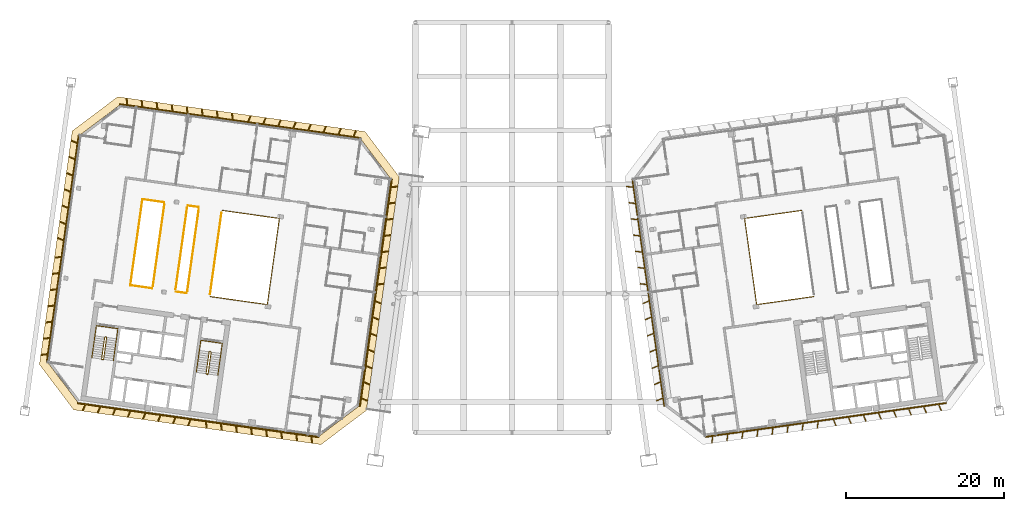
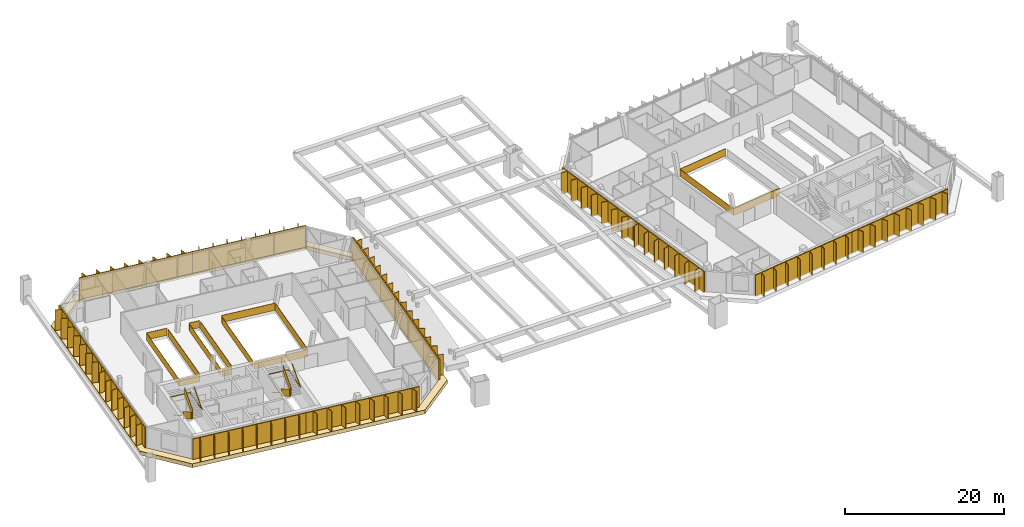
# One storey, part 35 of 36: 13 railings, 12 shading devices, 1 covering.
"""IFC4 building model written with IfcOpenShell, lengths in metres."""

from ifc_helpers import new_model, si_unit, direction, frame, origin, origin_2d, place, context, subcontext, project, spatial, polyline, rectangle, outline, extrude, material, layer, layer_set, type_object, element, save


model = new_model("IFC4")

# Units and contexts
model_context = context("Model", 3, precision=1e-05, world=origin(), true_north=direction((0.0, 1.0)))
body_context = subcontext(model_context, "Body", "Model", "MODEL_VIEW")
ifc_project = project(units=[si_unit("LENGTHUNIT", "METRE"), si_unit("AREAUNIT", "SQUARE_METRE"), si_unit("VOLUMEUNIT", "CUBIC_METRE"), si_unit("PLANEANGLEUNIT", "RADIAN"), si_unit("MASSUNIT", "GRAM", prefix="KILO")], contexts=[model_context])

# Site, building, storey
site_placement = place(None, origin())
site = spatial("IfcSite", under=ifc_project, at=site_placement, CompositionType="ELEMENT")
building_placement = place(site_placement, origin())
building = spatial("IfcBuilding", under=site, at=building_placement, Name="Mirante Cascada Hotel Towers", CompositionType="ELEMENT")
storey_placement = place(building_placement, frame((0.0, 0.0, 254.6)))
storey = spatial("IfcBuildingStorey", under=building, at=storey_placement, Name="L61", CompositionType="ELEMENT", Elevation=254.6)

# Railings
ifc_material_1 = material(Name="Toughened glass with stainless steel handrail", Category="steel")
railing_type_1 = type_object("IfcRailingType", Name="Atrium guard 1100 glass balustrade", PredefinedType="GUARDRAIL", material=ifc_material_1)
railing_1_placement = place(storey_placement, frame((-36.6715, 6.6123, 0.0)))
element("IfcRailing", 1, at=railing_1_placement, inside=storey, type_object=railing_type_1, Name="GUARD 1-L61-1", PredefinedType="GUARDRAIL", context=body_context, shape_type="SweptSolid", body=[
    extrude(rectangle(XDim=0.048, YDim=0.048, at=origin_2d()), frame((0.0, 0.0, 1.076), z_axis=(0.9902678, -0.1391749, 0.0), x_axis=(0.1391749, 0.9902678, 0.0)), (0.0, 0.0, 1.0), 7.3052),
    extrude(rectangle(XDim=0.02, YDim=1.052, at=origin_2d()), frame((0.0, 0.0, 0.526), z_axis=(0.9902678, -0.1391749, 0.0), x_axis=(0.1391749, 0.9902678, 0.0)), (0.0, 0.0, 1.0), 7.3052),
    extrude(rectangle(XDim=0.048, YDim=0.048, at=origin_2d()), frame((7.2341, -1.0167, 1.076), z_axis=(-0.1391733, -0.990268, 0.0), x_axis=(0.990268, -0.1391733, 0.0)), (0.0, 0.0, 1.0), 11.0),
    extrude(rectangle(XDim=0.02, YDim=1.052, at=origin_2d()), frame((7.2341, -1.0167, 0.526), z_axis=(-0.1391733, -0.990268, 0.0), x_axis=(0.990268, -0.1391733, 0.0)), (0.0, 0.0, 1.0), 11.0),
    extrude(rectangle(XDim=0.048, YDim=0.048, at=origin_2d()), frame((5.7032, -11.9096, 1.076), z_axis=(-0.9902678, 0.1391749, 0.0), x_axis=(-0.1391749, -0.9902678, 0.0)), (0.0, 0.0, 1.0), 7.3052),
    extrude(rectangle(XDim=0.02, YDim=1.052, at=origin_2d()), frame((5.7032, -11.9096, 0.526), z_axis=(-0.9902678, 0.1391749, 0.0), x_axis=(-0.1391749, -0.9902678, 0.0)), (0.0, 0.0, 1.0), 7.3052),
])
railing_2_placement = place(storey_placement, frame((-41.1732, -3.8631, 0.0)))
element("IfcRailing", 2, at=railing_2_placement, inside=storey, type_object=railing_type_1, Name="GUARD 1-L61-2", PredefinedType="GUARDRAIL", context=body_context, shape_type="SweptSolid", body=[
    extrude(rectangle(XDim=0.048, YDim=0.048, at=origin_2d()), frame((0.0, 0.0, 1.076), z_axis=(-0.9902687, 0.1391683, 0.0), x_axis=(-0.1391683, -0.9902687, 0.0)), (0.0, 0.0, 1.0), 1.3983),
    extrude(rectangle(XDim=0.02, YDim=1.052, at=origin_2d()), frame((0.0, 0.0, 0.526), z_axis=(-0.9902687, 0.1391683, 0.0), x_axis=(-0.1391683, -0.9902687, 0.0)), (0.0, 0.0, 1.0), 1.3983),
])
railing_3_placement = place(storey_placement, frame((-41.027, 7.2244, 0.0)))
element("IfcRailing", 3, at=railing_3_placement, inside=storey, type_object=railing_type_1, Name="GUARD 1-L61-3", PredefinedType="GUARDRAIL", context=body_context, shape_type="SweptSolid", body=[
    extrude(rectangle(XDim=0.048, YDim=0.048, at=origin_2d()), frame((0.0, 0.0, 1.076), z_axis=(0.9902687, -0.1391683, 0.0), x_axis=(0.1391683, 0.9902687, 0.0)), (0.0, 0.0, 1.0), 1.3983),
    extrude(rectangle(XDim=0.02, YDim=1.052, at=origin_2d()), frame((0.0, 0.0, 0.526), z_axis=(0.9902687, -0.1391683, 0.0), x_axis=(0.1391683, 0.9902687, 0.0)), (0.0, 0.0, 1.0), 1.3983),
])
railing_4_placement = place(storey_placement, frame((-45.5287, -3.251, 0.0)))
element("IfcRailing", 4, at=railing_4_placement, inside=storey, type_object=railing_type_1, Name="GUARD 1-L61-4", PredefinedType="GUARDRAIL", context=body_context, shape_type="SweptSolid", body=[
    extrude(rectangle(XDim=0.048, YDim=0.048, at=origin_2d()), frame((0.0, 0.0, 1.076), z_axis=(-0.9902681, 0.1391732, 0.0), x_axis=(-0.1391732, -0.9902681, 0.0)), (0.0, 0.0, 1.0), 2.7965),
    extrude(rectangle(XDim=0.02, YDim=1.052, at=origin_2d()), frame((0.0, 0.0, 0.526), z_axis=(-0.9902681, 0.1391732, 0.0), x_axis=(-0.1391732, -0.9902681, 0.0)), (0.0, 0.0, 1.0), 2.7965),
    extrude(rectangle(XDim=0.048, YDim=0.048, at=origin_2d()), frame((-2.7693, 0.3892, 1.076), z_axis=(0.1391721, 0.9902682, 0.0), x_axis=(-0.9902682, 0.1391721, 0.0)), (0.0, 0.0, 1.0), 11.0001),
    extrude(rectangle(XDim=0.02, YDim=1.052, at=origin_2d()), frame((-2.7693, 0.3892, 0.526), z_axis=(0.1391721, 0.9902682, 0.0), x_axis=(-0.9902682, 0.1391721, 0.0)), (0.0, 0.0, 1.0), 11.0001),
    extrude(rectangle(XDim=0.048, YDim=0.048, at=origin_2d()), frame((-1.2384, 11.2822, 1.076), z_axis=(0.9902681, -0.1391732, 0.0), x_axis=(0.1391732, 0.9902681, 0.0)), (0.0, 0.0, 1.0), 2.7965),
    extrude(rectangle(XDim=0.02, YDim=1.052, at=origin_2d()), frame((-1.2384, 11.2822, 0.526), z_axis=(0.9902681, -0.1391732, 0.0), x_axis=(0.1391732, 0.9902681, 0.0)), (0.0, 0.0, 1.0), 2.7965),
])
railing_5_placement = place(storey_placement, frame((-45.439, -2.965, 0.0)))
element("IfcRailing", 5, at=railing_5_placement, inside=storey, type_object=railing_type_1, Name="GUARD 1-L61-5", PredefinedType="GUARDRAIL", context=body_context, shape_type="SweptSolid", body=[
    extrude(rectangle(XDim=0.048, YDim=0.048, at=origin_2d()), frame((0.0, 0.0, 1.076), z_axis=(0.1391721, 0.9902682, 0.0), x_axis=(-0.9902682, 0.1391721, 0.0)), (0.0, 0.0, 1.0), 10.4087),
    extrude(rectangle(XDim=0.02, YDim=1.052, at=origin_2d()), frame((0.0, 0.0, 0.526), z_axis=(0.1391721, 0.9902682, 0.0), x_axis=(-0.9902682, 0.1391721, 0.0)), (0.0, 0.0, 1.0), 10.4087),
])
railing_6_placement = place(storey_placement, frame((-41.1167, 6.9385, 0.0)))
element("IfcRailing", 6, at=railing_6_placement, inside=storey, type_object=railing_type_1, Name="GUARD 1-L61-6", PredefinedType="GUARDRAIL", context=body_context, shape_type="SweptSolid", body=[
    extrude(rectangle(XDim=0.048, YDim=0.048, at=origin_2d()), frame((0.0, 0.0, 1.076), z_axis=(-0.1391721, -0.9902682, 0.0), x_axis=(0.9902682, -0.1391721, 0.0)), (0.0, 0.0, 1.0), 10.4087),
    extrude(rectangle(XDim=0.02, YDim=1.052, at=origin_2d()), frame((0.0, 0.0, 0.526), z_axis=(-0.1391721, -0.9902682, 0.0), x_axis=(0.9902682, -0.1391721, 0.0)), (0.0, 0.0, 1.0), 10.4087),
])
railing_7_placement = place(storey_placement, frame((-41.0835, -3.5772, 0.0)))
element("IfcRailing", 7, at=railing_7_placement, inside=storey, type_object=railing_type_1, Name="GUARD 1-L61-7", PredefinedType="GUARDRAIL", context=body_context, shape_type="SweptSolid", body=[
    extrude(rectangle(XDim=0.048, YDim=0.048, at=origin_2d()), frame((0.0, 0.0, 1.076), z_axis=(0.1391721, 0.9902682, 0.0), x_axis=(-0.9902682, 0.1391721, 0.0)), (0.0, 0.0, 1.0), 10.4087),
    extrude(rectangle(XDim=0.02, YDim=1.052, at=origin_2d()), frame((0.0, 0.0, 0.526), z_axis=(0.1391721, 0.9902682, 0.0), x_axis=(-0.9902682, 0.1391721, 0.0)), (0.0, 0.0, 1.0), 10.4087),
])
railing_8_placement = place(storey_placement, frame((-36.7612, 6.3263, 0.0)))
element("IfcRailing", 8, at=railing_8_placement, inside=storey, type_object=railing_type_1, Name="GUARD 1-L61-8", PredefinedType="GUARDRAIL", context=body_context, shape_type="SweptSolid", body=[
    extrude(rectangle(XDim=0.048, YDim=0.048, at=origin_2d()), frame((0.0, 0.0, 1.076), z_axis=(-0.1391734, -0.990268, 0.0), x_axis=(0.990268, -0.1391734, 0.0)), (0.0, 0.0, 1.0), 10.4086),
    extrude(rectangle(XDim=0.02, YDim=1.052, at=origin_2d()), frame((0.0, 0.0, 0.526), z_axis=(-0.1391734, -0.990268, 0.0), x_axis=(0.990268, -0.1391734, 0.0)), (0.0, 0.0, 1.0), 10.4086),
])
railing_9_placement = place(storey_placement, frame((36.6715, 6.6123, 0.0)))
element("IfcRailing", 9, at=railing_9_placement, inside=storey, type_object=railing_type_1, Name="GUARD 2-L61-1", PredefinedType="GUARDRAIL", context=body_context, shape_type="SweptSolid", body=[
    extrude(rectangle(XDim=0.048, YDim=0.048, at=origin_2d()), frame((0.0, 0.0, 1.076), z_axis=(-0.9902678, -0.1391749, 0.0), x_axis=(0.1391749, -0.9902678, 0.0)), (0.0, 0.0, 1.0), 7.3052),
    extrude(rectangle(XDim=0.02, YDim=1.052, at=origin_2d()), frame((0.0, 0.0, 0.526), z_axis=(-0.9902678, -0.1391749, 0.0), x_axis=(0.1391749, -0.9902678, 0.0)), (0.0, 0.0, 1.0), 7.3052),
    extrude(rectangle(XDim=0.048, YDim=0.048, at=origin_2d()), frame((-7.2341, -1.0167, 1.076), z_axis=(0.1391733, -0.990268, 0.0), x_axis=(0.990268, 0.1391733, 0.0)), (0.0, 0.0, 1.0), 11.0),
    extrude(rectangle(XDim=0.02, YDim=1.052, at=origin_2d()), frame((-7.2341, -1.0167, 0.526), z_axis=(0.1391733, -0.990268, 0.0), x_axis=(0.990268, 0.1391733, 0.0)), (0.0, 0.0, 1.0), 11.0),
    extrude(rectangle(XDim=0.048, YDim=0.048, at=origin_2d()), frame((-5.7032, -11.9096, 1.076), z_axis=(0.9902678, 0.1391749, 0.0), x_axis=(-0.1391749, 0.9902678, 0.0)), (0.0, 0.0, 1.0), 7.3052),
    extrude(rectangle(XDim=0.02, YDim=1.052, at=origin_2d()), frame((-5.7032, -11.9096, 0.526), z_axis=(0.9902678, 0.1391749, 0.0), x_axis=(-0.1391749, 0.9902678, 0.0)), (0.0, 0.0, 1.0), 7.3052),
])

# Covering
ifc_material_2 = material(Name="Precast concrete C40/50 white", Category="concrete")
ifc_layer = layer(ifc_material_2, 0.6)
ifc_layer_set = layer_set([ifc_layer], Name="Precast concrete SUNSHADE band 1000x600")
covering_type = type_object("IfcCoveringType", Name="Precast concrete SUNSHADE band 1000x600", PredefinedType="CLADDING", material=ifc_layer_set)
covering_placement = place(storey_placement, frame((0.0, 0.0, -0.45)))
element("IfcCovering", 10, at=covering_placement, inside=storey, type_object=covering_type, Name="Precast concrete SUNSHADE band T1 L61", PredefinedType="CLADDING", context=body_context, shape_type="SweptSolid", body=[
    extrude(outline(polyline([(-59.8032, -12.8722), (-55.6518, 16.6659), (-49.9078, 20.9944), (-18.5992, 16.5943), (-14.2707, 10.8502), (-18.422, -18.688), (-24.1661, -23.0165), (-55.4747, -18.6163), (-59.8032, -12.8722)]), holes=[polyline([(-15.3186, 10.5792), (-19.1485, 15.6616), (-49.6367, 19.9465), (-54.7192, 16.1166), (-58.7552, -12.6012), (-54.9253, -17.6837), (-24.4371, -21.9685), (-19.3546, -18.1386), (-15.3186, 10.5792)])]), origin(), (0.0, 0.0, 1.0), 0.6),
])

# Railings
ifc_material_3 = material(Name="Painted steel", Category="steel")
railing_type_2 = type_object("IfcRailingType", Name="Stair guard 1100 steel balustrade", PredefinedType="GUARDRAIL", material=ifc_material_3)
railing_10_placement = place(storey_placement, frame((-38.1178, -11.2603, 0.0)))
element("IfcRailing", 11, at=railing_10_placement, inside=storey, type_object=railing_type_2, Name="L61 ST1-A stair guard 1", PredefinedType="GUARDRAIL", context=body_context, shape_type="SweptSolid", body=[
    extrude(rectangle(XDim=0.048, YDim=0.048, at=origin_2d()), frame((0.0, 0.0, 1.076), z_axis=(-0.9903326, 0.1387133, 0.0), x_axis=(-0.1387133, -0.9903326, 0.0)), (0.0, 0.0, 1.0), 0.1499),
    extrude(rectangle(XDim=0.02, YDim=1.052, at=origin_2d()), frame((0.0, 0.0, 0.526), z_axis=(-0.9903326, 0.1387133, 0.0), x_axis=(-0.1387133, -0.9903326, 0.0)), (0.0, 0.0, 1.0), 0.1499),
    extrude(rectangle(XDim=0.048, YDim=0.048, at=origin_2d()), frame((-0.1485, 0.0208, 1.076), z_axis=(-0.7991505, -0.6011309, 0.0), x_axis=(0.6011309, -0.7991505, 0.0)), (0.0, 0.9254529, 0.3788627), 0.1866),
    extrude(rectangle(XDim=0.02, YDim=1.052, at=origin_2d()), frame((-0.1485, 0.0208, 0.526), z_axis=(-0.7991505, -0.6011309, 0.0), x_axis=(0.6011309, -0.7991505, 0.0)), (0.0, 0.9254529, 0.3788627), 0.1866),
    extrude(rectangle(XDim=0.048, YDim=0.048, at=origin_2d()), frame((-0.205, -0.0217, 1.2487), z_axis=(-0.139176, -0.9902677, 0.0), x_axis=(0.9902677, -0.139176, 0.0)), (0.0, 0.5250212, 0.8510891), 3.29),
    extrude(rectangle(XDim=0.02, YDim=1.052, at=origin_2d()), frame((-0.205, -0.0217, 0.6987), z_axis=(-0.139176, -0.9902677, 0.0), x_axis=(0.9902677, -0.139176, 0.0)), (0.0, 0.5250212, 0.8510891), 3.29),
    extrude(rectangle(XDim=0.048, YDim=0.048, at=origin_2d()), frame((-0.5947, -2.7945, 2.976), z_axis=(0.9270311, -0.3749843, 0.0), x_axis=(0.3749843, 0.9270311, 0.0)), (0.0, 0.0, 1.0), 0.2061),
    extrude(rectangle(XDim=0.02, YDim=1.052, at=origin_2d()), frame((-0.5947, -2.7945, 2.426), z_axis=(0.9270311, -0.3749843, 0.0), x_axis=(0.3749843, 0.9270311, 0.0)), (0.0, 0.0, 1.0), 0.2061),
    extrude(rectangle(XDim=0.048, YDim=0.048, at=origin_2d()), frame((-0.4036, -2.8718, 2.976), z_axis=(-0.9902408, 0.1393672, 0.0), x_axis=(-0.1393672, -0.9902408, 0.0)), (0.0, 0.0, 1.0), 0.15),
    extrude(rectangle(XDim=0.02, YDim=1.052, at=origin_2d()), frame((-0.4036, -2.8718, 2.426), z_axis=(-0.9902408, 0.1393672, 0.0), x_axis=(-0.1393672, -0.9902408, 0.0)), (0.0, 0.0, 1.0), 0.15),
    extrude(rectangle(XDim=0.048, YDim=0.048, at=origin_2d()), frame((-0.5521, -2.8509, 2.976), z_axis=(0.9944948, 0.1047858, 0.0), x_axis=(-0.1047858, 0.9944948, 0.0)), (0.0, 0.6422034, 0.7665343), 0.2689),
    extrude(rectangle(XDim=0.02, YDim=1.052, at=origin_2d()), frame((-0.5521, -2.8509, 2.426), z_axis=(0.9944948, 0.1047858, 0.0), x_axis=(-0.1047858, 0.9944948, 0.0)), (0.0, 0.6422034, 0.7665343), 0.2689),
    extrude(rectangle(XDim=0.048, YDim=0.048, at=origin_2d()), frame((-0.3471, -2.8293, 3.1487), z_axis=(0.139176, 0.9902677, 0.0), x_axis=(-0.9902677, 0.139176, 0.0)), (0.0, 0.5250212, 0.8510891), 3.29),
    extrude(rectangle(XDim=0.02, YDim=1.052, at=origin_2d()), frame((-0.3471, -2.8293, 2.5987), z_axis=(0.139176, 0.9902677, 0.0), x_axis=(-0.9902677, 0.139176, 0.0)), (0.0, 0.5250212, 0.8510891), 3.29),
])
railing_11_placement = place(storey_placement, frame((-51.3379, -9.4024, 0.0)))
element("IfcRailing", 12, at=railing_11_placement, inside=storey, type_object=railing_type_2, Name="L61 ST1-B stair guard 1", PredefinedType="GUARDRAIL", context=body_context, shape_type="SweptSolid", body=[
    extrude(rectangle(XDim=0.048, YDim=0.048, at=origin_2d()), frame((0.0, 0.0, 1.076), z_axis=(-0.9902408, 0.1393672, 0.0), x_axis=(-0.1393672, -0.9902408, 0.0)), (0.0, 0.0, 1.0), 0.15),
    extrude(rectangle(XDim=0.02, YDim=1.052, at=origin_2d()), frame((0.0, 0.0, 0.526), z_axis=(-0.9902408, 0.1393672, 0.0), x_axis=(-0.1393672, -0.9902408, 0.0)), (0.0, 0.0, 1.0), 0.15),
    extrude(rectangle(XDim=0.048, YDim=0.048, at=origin_2d()), frame((-0.1485, 0.0209, 1.076), z_axis=(-0.7984711, -0.6020331, 0.0), x_axis=(0.6020331, -0.7984711, 0.0)), (0.0, 0.9253398, 0.3791387), 0.1866),
    extrude(rectangle(XDim=0.02, YDim=1.052, at=origin_2d()), frame((-0.1485, 0.0209, 0.526), z_axis=(-0.7984711, -0.6020331, 0.0), x_axis=(0.6020331, -0.7984711, 0.0)), (0.0, 0.9253398, 0.3791387), 0.1866),
    extrude(rectangle(XDim=0.048, YDim=0.048, at=origin_2d()), frame((-0.205, -0.0217, 1.2487), z_axis=(-0.139181, -0.990267, 0.0), x_axis=(0.990267, -0.139181, 0.0)), (0.0, 0.5250347, 0.8510808), 3.2899),
    extrude(rectangle(XDim=0.02, YDim=1.052, at=origin_2d()), frame((-0.205, -0.0217, 0.6987), z_axis=(-0.139181, -0.990267, 0.0), x_axis=(0.990267, -0.139181, 0.0)), (0.0, 0.5250347, 0.8510808), 3.2899),
    extrude(rectangle(XDim=0.048, YDim=0.048, at=origin_2d()), frame((-0.5947, -2.7944, 2.976), z_axis=(0.9268624, -0.3754011, 0.0), x_axis=(0.3754011, 0.9268624, 0.0)), (0.0, 0.0, 1.0), 0.2062),
    extrude(rectangle(XDim=0.02, YDim=1.052, at=origin_2d()), frame((-0.5947, -2.7944, 2.426), z_axis=(0.9268624, -0.3754011, 0.0), x_axis=(0.3754011, 0.9268624, 0.0)), (0.0, 0.0, 1.0), 0.2062),
    extrude(rectangle(XDim=0.048, YDim=0.048, at=origin_2d()), frame((-0.4036, -2.8718, 2.976), z_axis=(-0.9902408, 0.1393672, 0.0), x_axis=(-0.1393672, -0.9902408, 0.0)), (0.0, 0.0, 1.0), 0.15),
    extrude(rectangle(XDim=0.02, YDim=1.052, at=origin_2d()), frame((-0.4036, -2.8718, 2.426), z_axis=(-0.9902408, 0.1393672, 0.0), x_axis=(-0.1393672, -0.9902408, 0.0)), (0.0, 0.0, 1.0), 0.15),
    extrude(rectangle(XDim=0.048, YDim=0.048, at=origin_2d()), frame((-0.5521, -2.8509, 2.976), z_axis=(0.9944441, 0.1052656, 0.0), x_axis=(-0.1052656, 0.9944441, 0.0)), (0.0, 0.6421842, 0.7665504), 0.2689),
    extrude(rectangle(XDim=0.02, YDim=1.052, at=origin_2d()), frame((-0.5521, -2.8509, 2.426), z_axis=(0.9944441, 0.1052656, 0.0), x_axis=(-0.1052656, 0.9944441, 0.0)), (0.0, 0.6421842, 0.7665504), 0.2689),
    extrude(rectangle(XDim=0.048, YDim=0.048, at=origin_2d()), frame((-0.3471, -2.8292, 3.1487), z_axis=(0.139181, 0.990267, 0.0), x_axis=(-0.990267, 0.139181, 0.0)), (0.0, 0.5250347, 0.8510808), 3.2899),
    extrude(rectangle(XDim=0.02, YDim=1.052, at=origin_2d()), frame((-0.3471, -2.8292, 2.5987), z_axis=(0.139181, 0.990267, 0.0), x_axis=(-0.990267, 0.139181, 0.0)), (0.0, 0.5250347, 0.8510808), 3.2899),
])
ifc_material_4 = material(Name="Painted steel", Category="steel")
railing_type_3 = type_object("IfcRailingType", Name="Stair handrail 900 steel tube", PredefinedType="HANDRAIL", material=ifc_material_4)
railing_12_placement = place(storey_placement, frame((-39.5606, -11.1081, 0.1727)))
element("IfcRailing", 13, at=railing_12_placement, inside=storey, type_object=railing_type_3, Name="L61 ST1-A stair handrail 1", PredefinedType="HANDRAIL", context=body_context, shape_type="SweptSolid", body=[
    extrude(rectangle(XDim=0.048, YDim=0.048, at=origin_2d()), frame((0.0, 0.0, 0.876), z_axis=(-0.139181, -0.990267, 0.0), x_axis=(0.990267, -0.139181, 0.0)), (0.0, 0.5250347, 0.8510808), 3.2899),
    extrude(rectangle(XDim=0.048, YDim=0.048, at=origin_2d()), frame((-0.3897, -2.7727, 2.6033), z_axis=(0.1391707, 0.9902684, 0.0), x_axis=(-0.9902684, 0.1391707, 0.0)), (0.0, 0.0420846, 0.999114), 4.1036),
    extrude(rectangle(XDim=0.048, YDim=0.048, at=origin_2d()), frame((0.1809, 1.2874, 2.776), z_axis=(0.9902691, -0.1391657, 0.0), x_axis=(0.1391657, 0.9902691, 0.0)), (0.0, 0.0, 1.0), 2.75),
    extrude(rectangle(XDim=0.048, YDim=0.048, at=origin_2d()), frame((2.9041, 0.9047, 2.776), z_axis=(-0.1391707, -0.9902684, 0.0), x_axis=(0.9902684, -0.1391707, 0.0)), (0.0, 0.0, 1.0), 4.1),
    extrude(rectangle(XDim=0.048, YDim=0.048, at=origin_2d()), frame((2.3335, -3.1554, 2.776), z_axis=(0.139181, 0.990267, 0.0), x_axis=(-0.990267, 0.139181, 0.0)), (0.0, 0.5250347, 0.8510808), 3.2899),
])
railing_13_placement = place(storey_placement, frame((-52.7807, -9.2501, 0.1727)))
element("IfcRailing", 14, at=railing_13_placement, inside=storey, type_object=railing_type_3, Name="L61 ST1-B stair handrail 1", PredefinedType="HANDRAIL", context=body_context, shape_type="SweptSolid", body=[
    extrude(rectangle(XDim=0.048, YDim=0.048, at=origin_2d()), frame((0.0, 0.0, 0.876), z_axis=(-0.139181, -0.990267, 0.0), x_axis=(0.990267, -0.139181, 0.0)), (0.0, 0.5250347, 0.8510808), 3.2899),
    extrude(rectangle(XDim=0.048, YDim=0.048, at=origin_2d()), frame((-0.3897, -2.7727, 2.6033), z_axis=(0.1391707, 0.9902684, 0.0), x_axis=(-0.9902684, 0.1391707, 0.0)), (0.0, 0.0420846, 0.999114), 4.1036),
    extrude(rectangle(XDim=0.048, YDim=0.048, at=origin_2d()), frame((0.1809, 1.2874, 2.776), z_axis=(0.9902641, -0.1392013, 0.0), x_axis=(0.1392013, 0.9902641, 0.0)), (0.0, 0.0, 1.0), 2.75),
    extrude(rectangle(XDim=0.048, YDim=0.048, at=origin_2d()), frame((2.9041, 0.9046, 2.776), z_axis=(-0.1391707, -0.9902684, 0.0), x_axis=(0.9902684, -0.1391707, 0.0)), (0.0, 0.0, 1.0), 4.1),
    extrude(rectangle(XDim=0.048, YDim=0.048, at=origin_2d()), frame((2.3335, -3.1555, 2.776), z_axis=(0.139176, 0.9902677, 0.0), x_axis=(-0.9902677, 0.139176, 0.0)), (0.0, 0.5250212, 0.8510891), 3.29),
])

# Shading devices
ifc_material_5 = material(Name="White precast concrete C50/60 fin", Category="concrete")
shading_device_type = type_object("IfcShadingDeviceType", Name="Vertical fin set 4500x900", PredefinedType="USERDEFINED", material=ifc_material_5)
shading_device_1_placement = place(storey_placement, origin())
element("IfcShadingDevice", 15, at=shading_device_1_placement, inside=storey, type_object=shading_device_type, Name="FIN T1 L61 front 1", ObjectType="FIN", PredefinedType="USERDEFINED", context=body_context, shape_type="SweptSolid", body=[
    extrude(outline(polyline([(-35.2968, 18.0826), (-34.3718, 17.9526), (-34.3926, 17.8041), (-49.6367, 19.9465), (-49.6159, 20.095), (-48.7174, 19.9688), (-48.8195, 20.8), (-48.74, 20.8098), (-48.6354, 19.9572), (-46.8119, 19.701), (-46.9139, 20.5322), (-46.8345, 20.542), (-46.7299, 19.6894), (-44.9064, 19.4331), (-45.0084, 20.2644), (-44.929, 20.2742), (-44.8243, 19.4216), (-43.0008, 19.1653), (-43.1029, 19.9966), (-43.0235, 20.0064), (-42.9188, 19.1538), (-41.0953, 18.8975), (-41.1974, 19.7288), (-41.118, 19.7386), (-41.0133, 18.886), (-39.1898, 18.6297), (-39.2919, 19.461), (-39.2125, 19.4708), (-39.1078, 18.6182), (-37.2843, 18.3619), (-37.3864, 19.1932), (-37.307, 19.203), (-37.2023, 18.3504), (-35.3788, 18.0941), (-35.4809, 18.9254), (-35.4014, 18.9352), (-35.2968, 18.0826)])), origin(), (0.0, 0.0, 1.0), 3.3),
])
shading_device_2_placement = place(storey_placement, origin())
element("IfcShadingDevice", 16, at=shading_device_2_placement, inside=storey, type_object=shading_device_type, Name="FIN T1 L61 front 2", ObjectType="FIN", PredefinedType="USERDEFINED", context=body_context, shape_type="SweptSolid", body=[
    extrude(outline(polyline([(-20.0261, 15.9365), (-19.1276, 15.8102), (-19.1485, 15.6616), (-34.3926, 17.8041), (-34.3718, 17.9526), (-33.4467, 17.8226), (-33.1111, 18.6133), (-33.0375, 18.582), (-33.3647, 17.8111), (-31.5412, 17.5548), (-31.2056, 18.3455), (-31.132, 18.3142), (-31.4592, 17.5433), (-29.6357, 17.287), (-29.3001, 18.0777), (-29.2264, 18.0464), (-29.5537, 17.2755), (-27.7302, 17.0192), (-27.3946, 17.8099), (-27.3209, 17.7786), (-27.6482, 17.0077), (-25.8247, 16.7514), (-25.4891, 17.5421), (-25.4154, 17.5108), (-25.7427, 16.7399), (-23.9192, 16.4836), (-23.5835, 17.2743), (-23.5099, 17.243), (-23.8371, 16.4721), (-22.0137, 16.2158), (-21.678, 17.0065), (-21.6044, 16.9752), (-21.9316, 16.2043), (-20.1081, 15.948), (-19.7725, 16.7387), (-19.6989, 16.7074), (-20.0261, 15.9365)])), origin(), (0.0, 0.0, 1.0), 3.3),
])
shading_device_3_placement = place(storey_placement, origin())
element("IfcShadingDevice", 17, at=shading_device_3_placement, inside=storey, type_object=shading_device_type, Name="FIN T1 L61 inner 1", ObjectType="FIN", PredefinedType="USERDEFINED", context=body_context, shape_type="SweptSolid", body=[
    extrude(outline(polyline([(-17.0478, -2.8027), (-17.1881, -3.8006), (-17.3366, -3.7797), (-15.3186, 10.5792), (-15.17, 10.5583), (-15.3066, 9.5869), (-14.4753, 9.689), (-14.4655, 9.6096), (-15.3181, 9.5049), (-15.5948, 7.5357), (-14.7636, 7.6377), (-14.7538, 7.5583), (-15.6064, 7.4536), (-15.8831, 5.4844), (-15.0519, 5.5865), (-15.0421, 5.5071), (-15.8947, 5.4024), (-16.1714, 3.4331), (-15.3401, 3.5352), (-15.3304, 3.4558), (-16.183, 3.3511), (-16.4597, 1.3818), (-15.6284, 1.4839), (-15.6187, 1.4045), (-16.4712, 1.2998), (-16.748, -0.6694), (-15.9167, -0.5674), (-15.907, -0.6468), (-16.7595, -0.7514), (-17.0363, -2.7207), (-16.205, -2.6186), (-16.1953, -2.698), (-17.0478, -2.8027)])), origin(), (0.0, 0.0, 1.0), 3.3),
])
shading_device_4_placement = place(storey_placement, origin())
element("IfcShadingDevice", 18, at=shading_device_4_placement, inside=storey, type_object=shading_device_type, Name="FIN T1 L61 inner 2", ObjectType="FIN", PredefinedType="USERDEFINED", context=body_context, shape_type="SweptSolid", body=[
    extrude(outline(polyline([(-19.0696, -17.1881), (-19.2061, -18.1595), (-19.3546, -18.1386), (-17.3366, -3.7797), (-17.1881, -3.8006), (-17.3283, -4.7985), (-16.5376, -5.1341), (-16.5689, -5.2078), (-17.3398, -4.8805), (-17.6166, -6.8498), (-16.8259, -7.1854), (-16.8572, -7.259), (-17.6281, -6.9318), (-17.9049, -8.901), (-17.1142, -9.2367), (-17.1455, -9.3103), (-17.9164, -8.9831), (-18.1932, -10.9523), (-17.4025, -11.2879), (-17.4337, -11.3616), (-18.2047, -11.0343), (-18.4815, -13.0036), (-17.6908, -13.3392), (-17.722, -13.4128), (-18.493, -13.0856), (-18.7697, -15.0548), (-17.9791, -15.3905), (-18.0103, -15.4641), (-18.7813, -15.1369), (-19.058, -17.1061), (-18.2674, -17.4417), (-18.2986, -17.5154), (-19.0696, -17.1881)])), origin(), (0.0, 0.0, 1.0), 3.3),
])
shading_device_5_placement = place(storey_placement, origin())
element("IfcShadingDevice", 19, at=shading_device_5_placement, inside=storey, type_object=shading_device_type, Name="FIN T1 L61 outer 1", ObjectType="FIN", PredefinedType="USERDEFINED", context=body_context, shape_type="SweptSolid", body=[
    extrude(outline(polyline([(-58.7557, -11.527), (-58.479, -9.5577), (-59.3103, -9.6598), (-59.32, -9.5804), (-58.4675, -9.4757), (-58.1907, -7.5064), (-59.022, -7.6085), (-59.0317, -7.5291), (-58.1792, -7.4244), (-57.9024, -5.4552), (-58.7337, -5.5572), (-58.7434, -5.4778), (-57.8909, -5.3732), (-57.6141, -3.4039), (-58.4454, -3.506), (-58.4551, -3.4266), (-57.6026, -3.3219), (-57.3258, -1.3526), (-58.1571, -1.4547), (-58.1669, -1.3753), (-57.3143, -1.2706), (-57.0375, 0.6986), (-57.8688, 0.5966), (-57.8786, 0.676), (-57.026, 0.7807), (-56.8858, 1.7785), (-56.7372, 1.7577), (-58.7552, -12.6012), (-58.9038, -12.5803), (-58.7673, -11.609), (-59.5985, -11.711), (-59.6083, -11.6316), (-58.7557, -11.527)])), origin(), (0.0, 0.0, 1.0), 3.3),
])
shading_device_6_placement = place(storey_placement, origin())
element("IfcShadingDevice", 20, at=shading_device_6_placement, inside=storey, type_object=shading_device_type, Name="FIN T1 L61 outer 2", ObjectType="FIN", PredefinedType="USERDEFINED", context=body_context, shape_type="SweptSolid", body=[
    extrude(outline(polyline([(-56.734, 2.8585), (-56.4572, 4.8277), (-57.2479, 5.1633), (-57.2167, 5.237), (-56.4457, 4.9097), (-56.169, 6.879), (-56.9596, 7.2146), (-56.9284, 7.2882), (-56.1574, 6.961), (-55.8807, 8.9303), (-56.6713, 9.2659), (-56.6401, 9.3395), (-55.8691, 9.0123), (-55.5924, 10.9815), (-56.3831, 11.3171), (-56.3518, 11.3908), (-55.5809, 11.0635), (-55.3041, 13.0328), (-56.0948, 13.3684), (-56.0635, 13.4421), (-55.2926, 13.1148), (-55.0158, 15.0841), (-55.8065, 15.4197), (-55.7752, 15.4933), (-55.0043, 15.1661), (-54.8678, 16.1374), (-54.7192, 16.1166), (-56.7372, 1.7577), (-56.8858, 1.7785), (-56.7455, 2.7764), (-57.5362, 3.1121), (-57.5049, 3.1857), (-56.734, 2.8585)])), origin(), (0.0, 0.0, 1.0), 3.3),
])
shading_device_7_placement = place(storey_placement, origin())
element("IfcShadingDevice", 21, at=shading_device_7_placement, inside=storey, type_object=shading_device_type, Name="FIN T1 L61 rear 1", ObjectType="FIN", PredefinedType="USERDEFINED", context=body_context, shape_type="SweptSolid", body=[
    extrude(outline(polyline([(-25.4385, -21.9793), (-27.262, -21.723), (-27.1599, -22.5543), (-27.2393, -22.564), (-27.344, -21.7115), (-29.1675, -21.4552), (-29.0654, -22.2865), (-29.1448, -22.2962), (-29.2495, -21.4437), (-31.073, -21.1874), (-30.9709, -22.0187), (-31.0503, -22.0284), (-31.155, -21.1759), (-32.9785, -20.9196), (-32.8764, -21.7509), (-32.9558, -21.7606), (-33.0605, -20.9081), (-34.884, -20.6518), (-34.782, -21.4831), (-34.8614, -21.4928), (-34.966, -20.6403), (-36.7895, -20.384), (-36.6875, -21.2153), (-36.7669, -21.225), (-36.8716, -20.3725), (-38.6951, -20.1162), (-38.593, -20.9475), (-38.6724, -20.9572), (-38.7771, -20.1047), (-39.7021, -19.9747), (-39.6812, -19.8261), (-24.4371, -21.9685), (-24.458, -22.1171), (-25.3565, -21.9908), (-25.2544, -22.8221), (-25.3338, -22.8318), (-25.4385, -21.9793)])), origin(), (0.0, 0.0, 1.0), 3.3),
])
shading_device_8_placement = place(storey_placement, origin())
element("IfcShadingDevice", 22, at=shading_device_8_placement, inside=storey, type_object=shading_device_type, Name="FIN T1 L61 rear 2", ObjectType="FIN", PredefinedType="USERDEFINED", context=body_context, shape_type="SweptSolid", body=[
    extrude(outline(polyline([(-40.7091, -19.8331), (-42.5326, -19.5769), (-42.8682, -20.3675), (-42.9419, -20.3363), (-42.6146, -19.5653), (-44.4381, -19.3091), (-44.7737, -20.0997), (-44.8474, -20.0685), (-44.5201, -19.2975), (-46.3436, -19.0412), (-46.6793, -19.8319), (-46.7529, -19.8007), (-46.4257, -19.0297), (-48.2492, -18.7734), (-48.5848, -19.5641), (-48.6584, -19.5329), (-48.3312, -18.7619), (-50.1547, -18.5056), (-50.4903, -19.2963), (-50.5639, -19.2651), (-50.2367, -18.4941), (-52.0602, -18.2378), (-52.3958, -19.0285), (-52.4694, -18.9973), (-52.1422, -18.2263), (-53.9657, -17.97), (-54.3013, -18.7607), (-54.375, -18.7295), (-54.0477, -17.9585), (-54.9462, -17.8322), (-54.9253, -17.6837), (-39.6812, -19.8261), (-39.7021, -19.9747), (-40.6271, -19.8447), (-40.9627, -20.6353), (-41.0364, -20.6041), (-40.7091, -19.8331)])), origin(), (0.0, 0.0, 1.0), 3.3),
])
shading_device_9_placement = place(storey_placement, origin())
element("IfcShadingDevice", 23, at=shading_device_9_placement, inside=storey, type_object=shading_device_type, Name="FIN T2 L61 inner 1", ObjectType="FIN", PredefinedType="USERDEFINED", context=body_context, shape_type="SweptSolid", body=[
    extrude(outline(polyline([(16.205, -2.6186), (17.0363, -2.7207), (16.7595, -0.7514), (15.907, -0.6468), (15.9167, -0.5674), (16.748, -0.6694), (16.4712, 1.2998), (15.6187, 1.4045), (15.6284, 1.4839), (16.4597, 1.3818), (16.183, 3.3511), (15.3304, 3.4558), (15.3401, 3.5352), (16.1714, 3.4331), (15.8947, 5.4024), (15.0421, 5.5071), (15.0519, 5.5865), (15.8831, 5.4844), (15.6064, 7.4536), (14.7538, 7.5583), (14.7636, 7.6377), (15.5948, 7.5357), (15.3181, 9.5049), (14.4655, 9.6096), (14.4753, 9.689), (15.3066, 9.5869), (15.17, 10.5583), (15.3186, 10.5792), (17.3366, -3.7797), (17.1881, -3.8006), (17.0478, -2.8027), (16.1953, -2.698), (16.205, -2.6186)])), origin(), (0.0, 0.0, 1.0), 3.3),
])
shading_device_10_placement = place(storey_placement, origin())
element("IfcShadingDevice", 24, at=shading_device_10_placement, inside=storey, type_object=shading_device_type, Name="FIN T2 L61 inner 2", ObjectType="FIN", PredefinedType="USERDEFINED", context=body_context, shape_type="SweptSolid", body=[
    extrude(outline(polyline([(18.2674, -17.4417), (19.058, -17.1061), (18.7813, -15.1369), (18.0103, -15.4641), (17.9791, -15.3905), (18.7697, -15.0548), (18.493, -13.0856), (17.722, -13.4128), (17.6908, -13.3392), (18.4815, -13.0036), (18.2047, -11.0343), (17.4337, -11.3616), (17.4025, -11.2879), (18.1932, -10.9523), (17.9164, -8.9831), (17.1455, -9.3103), (17.1142, -9.2367), (17.9049, -8.901), (17.6281, -6.9318), (16.8572, -7.259), (16.8259, -7.1854), (17.6166, -6.8498), (17.3398, -4.8805), (16.5689, -5.2078), (16.5376, -5.1341), (17.3283, -4.7985), (17.1881, -3.8006), (17.3366, -3.7797), (19.3546, -18.1386), (19.2061, -18.1595), (19.0696, -17.1881), (18.2986, -17.5154), (18.2674, -17.4417)])), origin(), (0.0, 0.0, 1.0), 3.3),
])
shading_device_11_placement = place(storey_placement, origin())
element("IfcShadingDevice", 25, at=shading_device_11_placement, inside=storey, type_object=shading_device_type, Name="FIN T2 L61 rear 1", ObjectType="FIN", PredefinedType="USERDEFINED", context=body_context, shape_type="SweptSolid", body=[
    extrude(outline(polyline([(25.2544, -22.8221), (25.3565, -21.9908), (24.458, -22.1171), (24.4371, -21.9685), (39.6812, -19.8261), (39.7021, -19.9747), (38.7771, -20.1047), (38.6724, -20.9572), (38.593, -20.9475), (38.6951, -20.1162), (36.8716, -20.3725), (36.7669, -21.225), (36.6875, -21.2153), (36.7895, -20.384), (34.966, -20.6403), (34.8614, -21.4928), (34.782, -21.4831), (34.884, -20.6518), (33.0605, -20.9081), (32.9558, -21.7606), (32.8764, -21.7509), (32.9785, -20.9196), (31.155, -21.1759), (31.0503, -22.0284), (30.9709, -22.0187), (31.073, -21.1874), (29.2495, -21.4437), (29.1448, -22.2962), (29.0654, -22.2865), (29.1675, -21.4552), (27.344, -21.7115), (27.2393, -22.564), (27.1599, -22.5543), (27.262, -21.723), (25.4385, -21.9793), (25.3338, -22.8318), (25.2544, -22.8221)])), origin(), (0.0, 0.0, 1.0), 3.3),
])
shading_device_12_placement = place(storey_placement, origin())
element("IfcShadingDevice", 26, at=shading_device_12_placement, inside=storey, type_object=shading_device_type, Name="FIN T2 L61 rear 2", ObjectType="FIN", PredefinedType="USERDEFINED", context=body_context, shape_type="SweptSolid", body=[
    extrude(outline(polyline([(40.9627, -20.6353), (40.6271, -19.8447), (39.7021, -19.9747), (39.6812, -19.8261), (54.9253, -17.6837), (54.9462, -17.8322), (54.0477, -17.9585), (54.375, -18.7295), (54.3013, -18.7607), (53.9657, -17.97), (52.1422, -18.2263), (52.4694, -18.9973), (52.3958, -19.0285), (52.0602, -18.2378), (50.2367, -18.4941), (50.5639, -19.2651), (50.4903, -19.2963), (50.1547, -18.5056), (48.3312, -18.7619), (48.6584, -19.5329), (48.5848, -19.5641), (48.2492, -18.7734), (46.4257, -19.0297), (46.7529, -19.8007), (46.6793, -19.8319), (46.3436, -19.0412), (44.5201, -19.2975), (44.8474, -20.0685), (44.7737, -20.0997), (44.4381, -19.3091), (42.6146, -19.5653), (42.9419, -20.3363), (42.8682, -20.3675), (42.5326, -19.5769), (40.7091, -19.8331), (41.0364, -20.6041), (40.9627, -20.6353)])), origin(), (0.0, 0.0, 1.0), 3.3),
])

save(model, "model.ifc")
